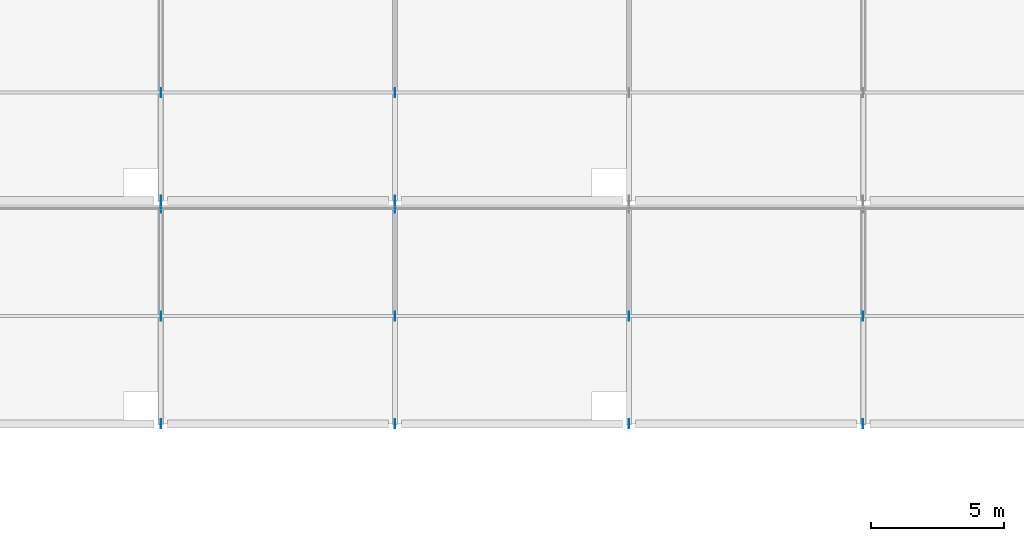
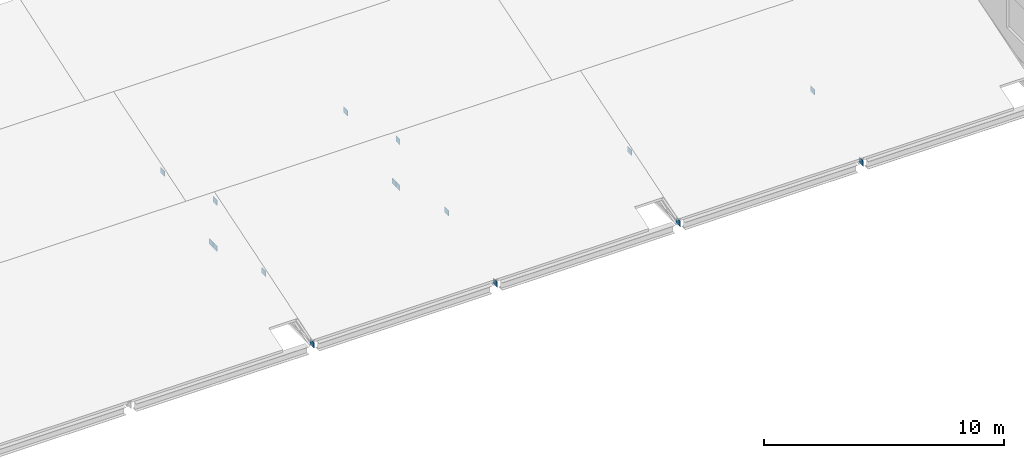
# One storey, part 32 of 40: 16 plates.
"""IFC4 building model written with IfcOpenShell, lengths in metres."""

from ifc_helpers import new_model, si_unit, direction, frame, origin, origin_2d, place, context, subcontext, project, spatial, rectangle, extrude, material, layer, layer_set, type_object, element, save


model = new_model("IFC4")

# Units and contexts
model_context = context("Model", 3, precision=1e-05, world=origin(), true_north=direction((0.0, 1.0)))
body_context = subcontext(model_context, "Body", "Model", "MODEL_VIEW")
ifc_project = project(units=[si_unit("LENGTHUNIT", "METRE"), si_unit("AREAUNIT", "SQUARE_METRE"), si_unit("VOLUMEUNIT", "CUBIC_METRE"), si_unit("PLANEANGLEUNIT", "RADIAN"), si_unit("MASSUNIT", "GRAM", prefix="KILO")], contexts=[model_context])

# Site, building, storey
site_placement = place(None, origin())
site = spatial("IfcSite", under=ifc_project, at=site_placement, CompositionType="ELEMENT")
building_placement = place(site_placement, origin())
building = spatial("IfcBuilding", under=site, at=building_placement, Name="Brinegate Botanical Conservatory", CompositionType="ELEMENT")
storey_placement = place(building_placement, frame((0.0, 0.0, 19.199951171875)))
storey = spatial("IfcBuildingStorey", under=building, at=storey_placement, Name="L05", CompositionType="ELEMENT", Elevation=19.199951171875)

# Plates
ifc_material = material(Name="Welded node steel Q355GJ / S355", Category="steel")
ifc_layer = layer(ifc_material, 0.01806640625, Name="Welded node steel Q355GJ / S355", Category="steel")
ifc_layer_set = layer_set([ifc_layer], Name="Welded node steel Q355GJ / S355")
plate_type = type_object("IfcPlateType", Name="Plate_GS-02", PredefinedType="USERDEFINED", material=ifc_layer_set)
for number, where, z_axis, x_axis, name in (
    (1, (86.0, 86.800048828125, -0.1201171875), (0.0, 0.0, 1.0), (1.0, 0.0, 0.0), "Sawtooth truss gusset node GS-02 B1.T5.S"),
    (2, (86.0, 94.89990234375, -0.1201171875), (0.0, 0.0, 1.0), (1.0, 0.0, 0.0), "Sawtooth truss gusset node GS-02 B1.T5.NB"),
    (3, (86.0, 94.89990234375, 2.2099609375), (0.0, 0.0, 1.0), (1.0, 0.0, 0.0), "Sawtooth truss gusset node GS-02 B1.T5.NT"),
    (4, (86.0, 90.85009765625, 1.044921875), (0.0, 0.0, 1.0), (1.0, 0.0, 0.0), "Sawtooth truss gusset node GS-02 B1.T5.M"),
    (5, (94.800048828125, 86.800048828125, -0.1201171875), (0.0, 0.0, 1.0), (1.0, 0.0, 0.0), "Sawtooth truss gusset node GS-02 B1.T6.S"),
    (6, (94.800048828125, 94.89990234375, -0.1201171875), (0.0, 0.0, 1.0), (1.0, 0.0, 0.0), "Sawtooth truss gusset node GS-02 B1.T6.NB"),
    (7, (94.800048828125, 94.89990234375, 2.2099609375), (0.0, 0.0, 1.0), (1.0, 0.0, 0.0), "Sawtooth truss gusset node GS-02 B1.T6.NT"),
    (8, (94.800048828125, 90.85009765625, 1.044921875), (0.0, 0.0, 1.0), (1.0, 0.0, 0.0), "Sawtooth truss gusset node GS-02 B1.T6.M"),
    (9, (103.60009765625, 86.800048828125, -0.1201171875), (0.0, 0.0, 1.0), (1.0, 0.0, 0.0), "Sawtooth truss gusset node GS-02 B1.T7.S"),
    (10, (103.60009765625, 90.85009765625, 1.044921875), (0.0, 0.0, 1.0), (1.0, 0.0, 0.0), "Sawtooth truss gusset node GS-02 B1.T7.M"),
    (11, (112.39990234375, 86.800048828125, -0.1201171875), (0.0, 0.0, 1.0), (1.0, 0.0, 0.0), "Sawtooth truss gusset node GS-02 B1.T8.S"),
    (12, (112.39990234375, 90.85009765625, 1.044921875), (0.0, 0.0, 1.0), (1.0, 0.0, 0.0), "Sawtooth truss gusset node GS-02 B1.T8.M"),
    (13, (86.0, 95.199951171875, -0.1201171875), (0.0, 0.0, 1.0), (1.0, 0.0, 0.0), "Sawtooth truss gusset node GS-02 B2.T5.S"),
    (14, (86.0, 99.25, 1.044921875), (0.0, 0.0, 1.0), (1.0, 0.0, 0.0), "Sawtooth truss gusset node GS-02 B2.T5.M"),
    (15, (94.800048828125, 95.199951171875, -0.1201171875), (0.0, 0.0, 1.0), (1.0, 0.0, 0.0), "Sawtooth truss gusset node GS-02 B2.T6.S"),
    (16, (94.800048828125, 99.25, 1.044921875), (0.0, 0.0, 1.0), (1.0, 0.0, 0.0), "Sawtooth truss gusset node GS-02 B2.T6.M"),
):
    element("IfcPlate", number, at=place(storey_placement, frame(where, z_axis=z_axis, x_axis=x_axis)), inside=storey, type_object=plate_type, Name=name, ObjectType="GUSSET PLATE", PredefinedType="USERDEFINED", context=body_context, shape_type="SweptSolid", body=[
        extrude(rectangle(XDim=0.01806640625, YDim=0.340087890625, at=origin_2d()), origin(), (0.0, 0.0, 1.0), 0.280029296875),
    ])

save(model, "model.ifc")
